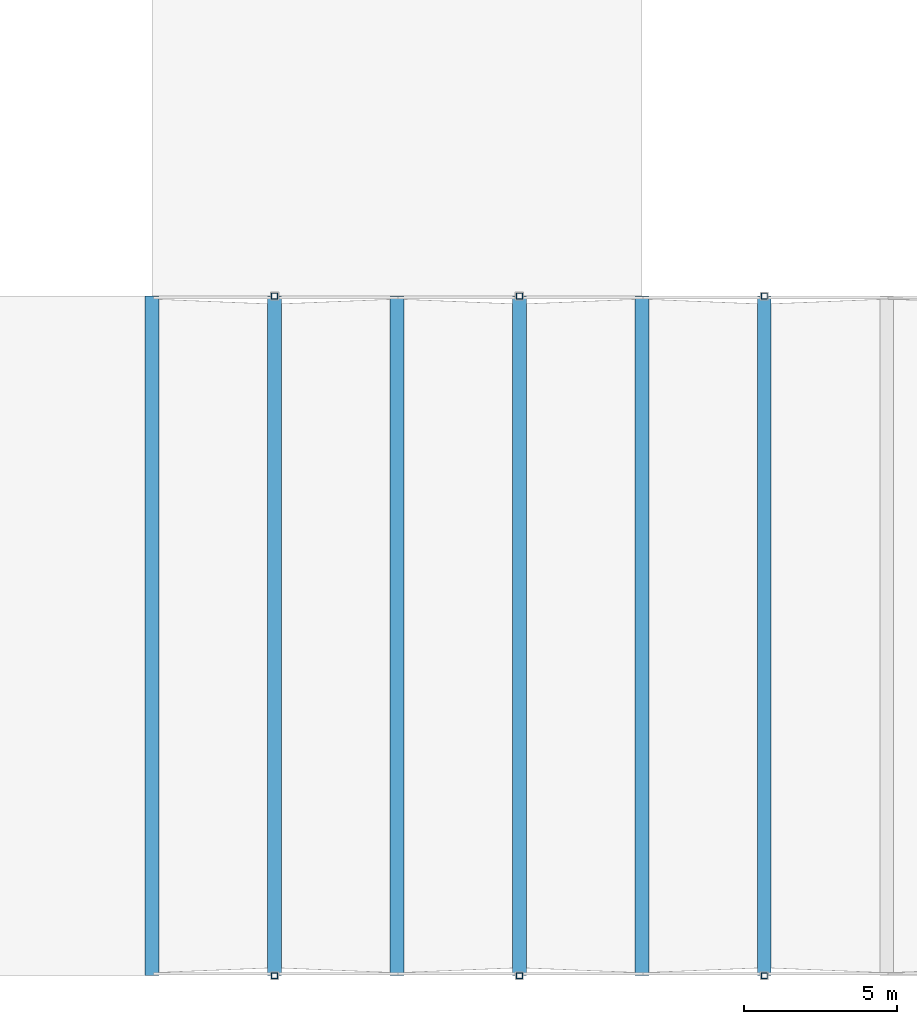
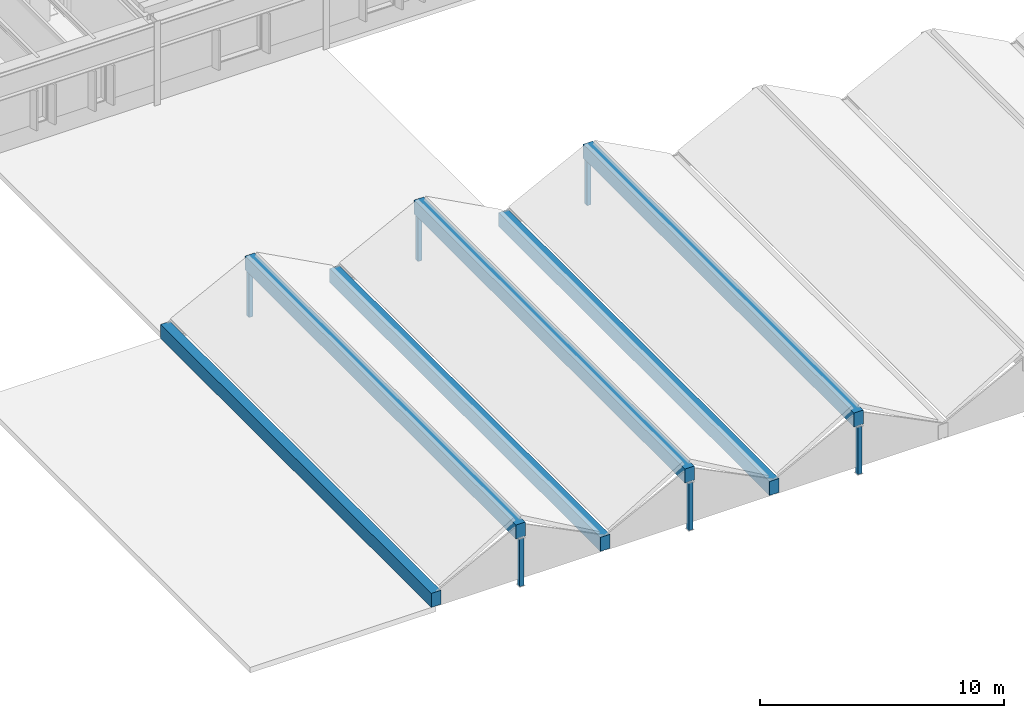
# One storey, part 12 of 63: 6 beams, 6 members.
"""IFC4 building model written with IfcOpenShell, lengths in metres."""

from ifc_helpers import new_model, si_unit, direction, frame, origin, origin_2d, place, context, subcontext, project, spatial, rectangle, hollow_rectangle, extrude, material, material_profile, profile_set, type_object, element, save


model = new_model("IFC4")

# Units and contexts
model_context = context("Model", 3, precision=1e-05, world=origin(), true_north=direction((0.0, 1.0)))
body_context = subcontext(model_context, "Body", "Model", "MODEL_VIEW")
ifc_project = project(units=[si_unit("LENGTHUNIT", "METRE"), si_unit("AREAUNIT", "SQUARE_METRE"), si_unit("VOLUMEUNIT", "CUBIC_METRE"), si_unit("PLANEANGLEUNIT", "RADIAN"), si_unit("MASSUNIT", "GRAM", prefix="KILO")], contexts=[model_context])

# Site, building, storey
site_placement = place(None, origin())
site = spatial("IfcSite", under=ifc_project, at=site_placement, CompositionType="ELEMENT")
building_placement = place(site_placement, origin())
building = spatial("IfcBuilding", under=site, at=building_placement, Name="Valkorina Park Police Headquarters", CompositionType="ELEMENT")
storey_placement = place(building_placement, frame((0.0, 0.0, 9.89990234375)))
storey = spatial("IfcBuildingStorey", under=building, at=storey_placement, Name="L03", CompositionType="ELEMENT", Elevation=9.89990234375)

# Beams
ifc_material_1 = material(Name="Concrete C40/50", Category="concrete")
ifc_material_profile_1 = material_profile(ifc_material_1, rectangle(XDim=0.449951171875, YDim=0.699951171875, at=origin_2d()), Name="RC RIDGE 450x700")
ifc_profile_set_1 = profile_set([ifc_material_profile_1], Name="Concrete C40/50")
beam_type = type_object("IfcBeamType", Name="BM-RC-RIDGE-EXT", PredefinedType="BEAM", material=ifc_profile_set_1)
for number, where, z_axis, x_axis, name in (
    (1, (12.800048828125, 0.0, 2.37060546875), (0.0, 1.0, 0.0), (-1.0, 0.0, 0.0), "V1 Folded-Plate Ridge Beam 1"),
    (2, (8.800048828125, 0.0, 0.35009765625), (0.0, 1.0, 0.0), (-1.0, 0.0, 0.0), "V1 Folded-Plate Valley Beam 1.1"),
    (3, (20.800048828125, 0.0, 2.37060546875), (0.0, 1.0, 0.0), (-1.0, 0.0, 0.0), "V1 Folded-Plate Ridge Beam 2"),
    (4, (16.800048828125, 0.0, 0.35009765625), (0.0, 1.0, 0.0), (-1.0, 0.0, 0.0), "V1 Folded-Plate Valley Beam 2.1"),
    (5, (28.800048828125, 0.0, 2.37060546875), (0.0, 1.0, 0.0), (-1.0, 0.0, 0.0), "V1 Folded-Plate Ridge Beam 3"),
    (6, (24.800048828125, 0.0, 0.35009765625), (0.0, 1.0, 0.0), (-1.0, 0.0, 0.0), "V1 Folded-Plate Valley Beam 3.1"),
):
    element("IfcBeam", number, at=place(storey_placement, frame(where, z_axis=z_axis, x_axis=x_axis)), inside=storey, type_object=beam_type, Name=name, PredefinedType="BEAM", context=body_context, shape_type="SweptSolid", body=[
        extrude(rectangle(XDim=0.449951171875, YDim=0.699951171875, at=origin_2d()), origin(), (0.0, 0.0, 1.0), 22.199951171875),
    ])

# Members
ifc_material_2 = material(Name="Steel S355", Category="steel")
ifc_material_profile_2 = material_profile(ifc_material_2, hollow_rectangle(XDim=0.199951171875, YDim=0.199951171875, WallThickness=0.012451171875, at=origin_2d()), Name="SHS 200x200x12.5")
ifc_profile_set_2 = profile_set([ifc_material_profile_2], Name="Steel S355")
member_type = type_object("IfcMemberType", Name="MB-S355-SHS200-GABLE", PredefinedType="BRACE", material=ifc_profile_set_2)
for number, where, z_axis, x_axis, name in (
    (7, (12.800048828125, 0.0, -0.349853515625), (0.0, 0.0, 1.0), (1.0, 0.0, 0.0), "V1 Gable Ridge Strut 1S"),
    (8, (12.800048828125, 22.199951171875, -0.349853515625), (0.0, 0.0, 1.0), (1.0, 0.0, 0.0), "V1 Gable Ridge Strut 1N"),
    (9, (20.800048828125, 0.0, -0.349853515625), (0.0, 0.0, 1.0), (1.0, 0.0, 0.0), "V1 Gable Ridge Strut 2S"),
    (10, (20.800048828125, 22.199951171875, -0.349853515625), (0.0, 0.0, 1.0), (1.0, 0.0, 0.0), "V1 Gable Ridge Strut 2N"),
    (11, (28.800048828125, 0.0, -0.349853515625), (0.0, 0.0, 1.0), (1.0, 0.0, 0.0), "V1 Gable Ridge Strut 3S"),
    (12, (28.800048828125, 22.199951171875, -0.349853515625), (0.0, 0.0, 1.0), (1.0, 0.0, 0.0), "V1 Gable Ridge Strut 3N"),
):
    element("IfcMember", number, at=place(storey_placement, frame(where, z_axis=z_axis, x_axis=x_axis)), inside=storey, type_object=member_type, Name=name, PredefinedType="BRACE", context=body_context, shape_type="SweptSolid", body=[
        extrude(hollow_rectangle(XDim=0.199951171875, YDim=0.199951171875, WallThickness=0.012451171875, at=origin_2d()), origin(), (0.0, 0.0, 1.0), 2.390380859375),
    ])

save(model, "model.ifc")
